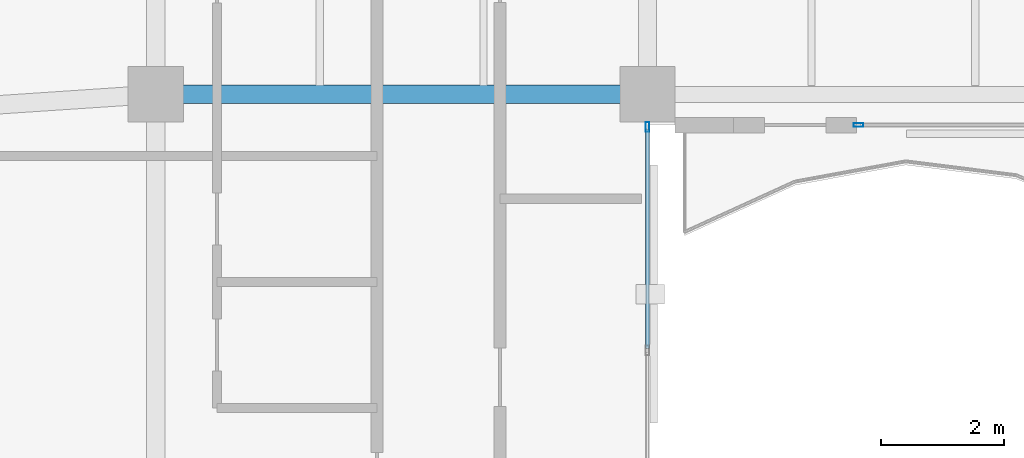
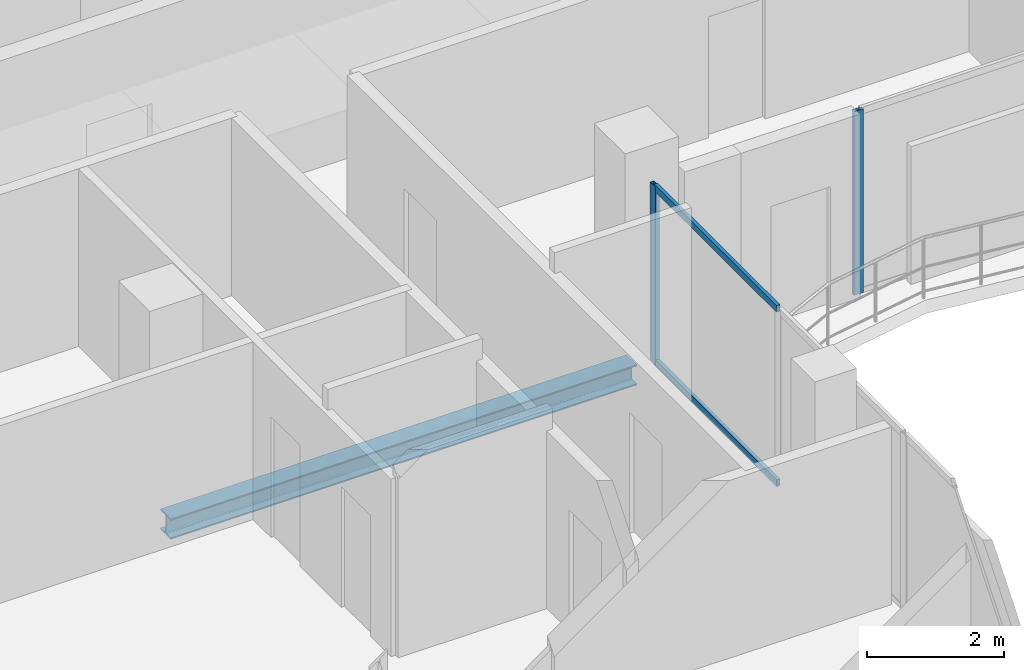
# One storey, part 8 of 22: 4 members, 1 beam, 2 elements without a shape of their own.
"""IFC4 building model written with IfcOpenShell, lengths in metres."""

import ifcopenshell
import ifcopenshell.guid

model = None  # the IFC model being written
_history = None  # IfcOwnerHistory: only IFC2X3 demands one
_inside = {}  # id of a spatial element -> (the spatial element, [elements in it])
_under = {}  # id of a project, library or spatial element -> (it, [spatial elements below it])
_declared = {}  # id of a project -> (the project, [libraries it declares])
_typed = {}  # id of a type object -> (the type object, [elements of that type])
_made_of = {}  # id of a material, layer set ... -> (it, [elements and type objects made of it])


def new_model(schema):
    """Start an empty IFC model of exactly this schema.

    Asked for "IFC4X3", IfcOpenShell would pick the latest addendum, in which some entities
    have other attributes; the version numbers below select the first issue.
    IFC2X3 requires an IfcOwnerHistory on every rooted entity: one is made here for all.
    """
    global model, _history
    if schema == "IFC4X3":
        model = ifcopenshell.file(schema_version=(4, 3, 0, 0))
    else:
        model = ifcopenshell.file(schema=schema)
    _inside.clear()
    _under.clear()
    _declared.clear()
    _typed.clear()
    _made_of.clear()
    _history = None
    if model.schema == "IFC2X3":
        org = make("IfcOrganization", Name="unknown")
        user = make(
            "IfcPersonAndOrganization",
            ThePerson=make("IfcPerson", FamilyName="unknown"),
            TheOrganization=org,
        )
        app = make(
            "IfcApplication",
            ApplicationDeveloper=org,
            Version="unknown",
            ApplicationFullName="unknown",
            ApplicationIdentifier="unknown",
        )
        _history = make(
            "IfcOwnerHistory",
            OwningUser=user,
            OwningApplication=app,
            ChangeAction="ADDED",
            CreationDate=0,
        )
    return model


def make(cls, **values):
    """One entity of the class cls with the attributes given. An attribute that is None is left unset."""
    return model.create_entity(
        cls, **{name: value for name, value in values.items() if value is not None}
    )


def rooted(cls, **values):
    """An entity with a GlobalId (a new one), such as an element, a storey or a relation."""
    return make(cls, GlobalId=ifcopenshell.guid.new(), OwnerHistory=_history, **values)


def si_unit(unit_type, name, prefix=None):
    """IfcSIUnit, for example si_unit("LENGTHUNIT", "METRE", prefix="MILLI")."""
    return make("IfcSIUnit", UnitType=unit_type, Prefix=prefix, Name=name)


def assignment(units):
    """IfcUnitAssignment: the units of a project."""
    return None if units is None else make("IfcUnitAssignment", Units=units)


def point(xyz):
    """IfcCartesianPoint."""
    return None if xyz is None else make("IfcCartesianPoint", Coordinates=xyz)


def direction(xyz):
    """IfcDirection."""
    return None if xyz is None else make("IfcDirection", DirectionRatios=xyz)


def frame(location, z_axis=None, x_axis=None):
    """IfcAxis2Placement3D, a coordinate frame: its origin and axes. An axis left out is left unset."""
    return make(
        "IfcAxis2Placement3D",
        Location=point(location),
        Axis=direction(z_axis),
        RefDirection=direction(x_axis),
    )


def frame_2d(location, x_axis=None):
    """IfcAxis2Placement2D, a coordinate frame in the plane: its origin and x axis."""
    return make(
        "IfcAxis2Placement2D", Location=point(location), RefDirection=direction(x_axis)
    )


def origin():
    """The frame at (0, 0, 0) with its axes left unset."""
    return frame((0.0, 0.0, 0.0))


def origin_2d():
    """The frame at (0, 0) in the plane with its x axis left unset."""
    return frame_2d((0.0, 0.0))


def place(relative_to, where):
    """IfcLocalPlacement: puts the frame where relative to a parent placement (None: the world)."""
    return make(
        "IfcLocalPlacement", PlacementRelTo=relative_to, RelativePlacement=where
    )


def context(
    kind, dimensions, precision=None, world=None, true_north=None, identifier=None
):
    """IfcGeometricRepresentationContext, for example the 3D "Model" context."""
    return make(
        "IfcGeometricRepresentationContext",
        ContextIdentifier=identifier,
        ContextType=kind,
        CoordinateSpaceDimension=dimensions,
        Precision=precision,
        WorldCoordinateSystem=world,
        TrueNorth=true_north,
    )


def subcontext(parent, identifier, kind, view, scale=None):
    """IfcGeometricRepresentationSubContext, for example "Body" below "Model"."""
    return make(
        "IfcGeometricRepresentationSubContext",
        ContextIdentifier=identifier,
        ContextType=kind,
        ParentContext=parent,
        TargetScale=scale,
        TargetView=view,
    )


def project(units=None, contexts=None):
    """IfcProject with its units and contexts."""
    return rooted(
        "IfcProject",
        Name="project",
        RepresentationContexts=contexts,
        UnitsInContext=assignment(units),
    )


def spatial(cls, under=None, at=None, **own):
    """A site, building, storey or space (cls), placed at a placement, below another one or the project."""
    s = rooted(cls, ObjectPlacement=at, **own)
    if under is not None:
        _under.setdefault(under.id(), (under, []))[1].append(s)
    return s


def profile(cls, at=None, kind="AREA", **sizes):
    """A parametric profile (cls). Its sizes go by their IFC names, for example OverallWidth=200.0."""
    return make(cls, ProfileType=kind, Position=at, **sizes)


def hollow_rectangle(**sizes):
    """IfcRectangleHollowProfileDef."""
    return profile("IfcRectangleHollowProfileDef", **sizes)


def i_section(**sizes):
    """IfcIShapeProfileDef."""
    return profile("IfcIShapeProfileDef", **sizes)


def extrude(swept, where, along, depth):
    """IfcExtrudedAreaSolid: the profile swept, set in the frame where, extruded along a direction by depth."""
    return make(
        "IfcExtrudedAreaSolid",
        SweptArea=swept,
        Position=where,
        ExtrudedDirection=direction(along),
        Depth=depth,
    )


def shape(context_of_items, identifier, shape_type, items):
    """IfcShapeRepresentation: the items that make up one representation, for example the "Body"."""
    return make(
        "IfcShapeRepresentation",
        ContextOfItems=context_of_items,
        RepresentationIdentifier=identifier,
        RepresentationType=shape_type,
        Items=items,
    )


def material(Name=None, Category=None):
    """IfcMaterial."""
    return make("IfcMaterial", Name=Name, Category=Category)


def layer(
    of_material, thickness, ventilated=None, Name=None, Category=None, Priority=None
):
    """IfcMaterialLayer: one layer of a wall or slab, of a material (None: an air gap)."""
    return make(
        "IfcMaterialLayer",
        Material=of_material,
        LayerThickness=thickness,
        IsVentilated=ventilated,
        Name=Name,
        Category=Category,
        Priority=Priority,
    )


def layer_set(layers, Name=None):
    """IfcMaterialLayerSet."""
    return make("IfcMaterialLayerSet", MaterialLayers=layers, LayerSetName=Name)


def material_profile(
    of_material, cross_section, Name=None, Category=None, Priority=None
):
    """IfcMaterialProfile: a cross section and its material."""
    return make(
        "IfcMaterialProfile",
        Name=Name,
        Material=of_material,
        Profile=cross_section,
        Priority=Priority,
        Category=Category,
    )


def profile_set(profiles, Name=None, composite=None):
    """IfcMaterialProfileSet."""
    return make(
        "IfcMaterialProfileSet",
        Name=Name,
        MaterialProfiles=profiles,
        CompositeProfile=composite,
    )


def made_of(thing, what):
    """Note that an element or type object is made of a material, layer set ...; save() writes the relation."""
    if what is not None:
        _made_of.setdefault(what.id(), (what, []))[1].append(thing)
    return thing


def type_object(cls, material=None, **own):
    """A type object (cls), such as IfcWallType, which elements share."""
    return made_of(rooted(cls, **own), material)


def element(
    cls,
    number,
    at=None,
    inside=None,
    cuts=None,
    type_object=None,
    material=None,
    context=None,
    identifier="Body",
    shape_type=None,
    held_by="IfcProductDefinitionShape",
    body=None,
    shapes=None,
    **own,
):
    """One element of the class cls, such as IfcWall. Its Tag is "e" and its number.

    at: its placement. inside: the storey or other place that contains it. cuts: it is an
    opening in that element (IfcRelVoidsElement). A single representation is given by context,
    identifier, shape_type and body (its items); several are given by shapes. held_by: the class
    of the entity that holds the representations. save() writes the other relations.
    """
    e = rooted(cls, Tag="e%d" % number, ObjectPlacement=at, **own)
    if body is not None:
        shapes = [shape(context, identifier, shape_type, body)]
    if shapes is not None:
        e.Representation = make(held_by, Representations=shapes)
    if inside is not None:
        _inside.setdefault(inside.id(), (inside, []))[1].append(e)
    if cuts is not None:
        rooted(
            "IfcRelVoidsElement", RelatingBuildingElement=cuts, RelatedOpeningElement=e
        )
    if type_object is not None:
        _typed.setdefault(type_object.id(), (type_object, []))[1].append(e)
    return made_of(e, material)


def aggregate(whole, parts):
    """IfcRelAggregates: a whole, such as a stair, and the parts it consists of."""
    return rooted("IfcRelAggregates", RelatingObject=whole, RelatedObjects=parts)


def save(model, path):
    """Write the relations noted so far, then the file.

    IfcRelAggregates (storeys below a building ...), IfcRelContainedInSpatialStructure (elements
    in a storey), IfcRelDefinesByType, IfcRelAssociatesMaterial and IfcRelDeclares: one each for
    every whole, place, type object, material and project.
    """
    for whole, parts in _under.values():
        aggregate(whole, parts)
    for where, things in _inside.values():
        rooted(
            "IfcRelContainedInSpatialStructure",
            RelatedElements=things,
            RelatingStructure=where,
        )
    for kind, things in _typed.values():
        rooted("IfcRelDefinesByType", RelatedObjects=things, RelatingType=kind)
    for what, things in _made_of.values():
        rooted("IfcRelAssociatesMaterial", RelatedObjects=things, RelatingMaterial=what)
    for by, libraries in _declared.values():
        rooted("IfcRelDeclares", RelatingContext=by, RelatedDefinitions=libraries)
    model.write(path)


model = new_model("IFC4")

# Units and contexts
model_context = context("Model", 3, precision=1e-05, world=origin(), true_north=direction((0.0, 1.0)))
body_context = subcontext(model_context, "Body", "Model", "MODEL_VIEW")
ifc_project = project(units=[si_unit("LENGTHUNIT", "METRE"), si_unit("AREAUNIT", "SQUARE_METRE"), si_unit("VOLUMEUNIT", "CUBIC_METRE"), si_unit("PLANEANGLEUNIT", "RADIAN"), si_unit("MASSUNIT", "GRAM", prefix="KILO")], contexts=[model_context])

# Site, building, storey
site_placement = place(None, origin())
site = spatial("IfcSite", under=ifc_project, at=site_placement, CompositionType="ELEMENT")
building_placement = place(site_placement, origin())
building = spatial("IfcBuilding", under=site, at=building_placement, Name="Catumbela Crestline Tower", CompositionType="ELEMENT")
storey_placement = place(building_placement, frame((0.0, 0.0, 256.4)))
storey = spatial("IfcBuildingStorey", under=building, at=storey_placement, Name="L66", CompositionType="ELEMENT", Elevation=256.4)

# Beam
ifc_material_1 = material(Name="Structural steel S355J2", Category="steel")
ifc_material_profile_1 = material_profile(ifc_material_1, i_section(OverallWidth=0.3, OverallDepth=0.36, WebThickness=0.0125, FlangeThickness=0.0225, FilletRadius=0.027, at=origin_2d()), Name="HEB 360")
ifc_profile_set_1 = profile_set([ifc_material_profile_1], Name="Structural steel S355J2")
beam_type = type_object("IfcBeamType", Name="BG-HEB360", PredefinedType="BEAM", material=ifc_profile_set_1)
beam_placement = place(storey_placement, frame((16.08, 24.5, -0.44), z_axis=(1.0, 0.0, 0.0), x_axis=(0.0, 1.0, 0.0)))
element("IfcBeam", 1, at=beam_placement, inside=storey, type_object=beam_type, Name="L66 Beam BM-L66-S03", PredefinedType="BEAM", context=body_context, shape_type="SweptSolid", body=[
    extrude(i_section(OverallWidth=0.3, OverallDepth=0.36, WebThickness=0.0125, FlangeThickness=0.0225, FilletRadius=0.027, at=origin_2d()), origin(), (0.0, 0.0, 1.0), 7.84),
])

# Curtain wall, member
ifc_material_2 = material(Name="Aluminium alloy AW-6060-T66", Category="aluminium")
ifc_layer = layer(ifc_material_2, 0.18, Name="Aluminium alloy AW-6060-T66")
ifc_layer_set = layer_set([ifc_layer], Name="Aluminium alloy AW-6060-T66")
curtain_wall_type = type_object("IfcCurtainWallType", Name="CWU-Z4", PredefinedType="USERDEFINED", material=ifc_layer_set)
curtain_wall_1_placement = place(storey_placement, origin())
curtain_wall_1 = element("IfcCurtainWall", 2, at=curtain_wall_1_placement, inside=storey, type_object=curtain_wall_type, Name="L66 Unitised Curtain Wall CW-L66-E2S1", ObjectType="UNITISED", PredefinedType="USERDEFINED")
ifc_material_profile_2 = material_profile(ifc_material_2, hollow_rectangle(XDim=0.06, YDim=0.16, WallThickness=0.004, at=origin_2d()), Name="ALU 160x60x4")
ifc_profile_set_2 = profile_set([ifc_material_profile_2], Name="Aluminium alloy AW-6060-T66")
member_type_1 = type_object("IfcMemberType", Name="MUL-160X60", PredefinedType="MULLION", material=ifc_profile_set_2)
member_1_placement = place(storey_placement, frame((24.0, 23.9675, 0.0), z_axis=(0.0, 0.0, 1.0), x_axis=(-1.0, 0.0, 0.0)))
member_1 = element("IfcMember", 3, at=member_1_placement, type_object=member_type_1, Name="CWU-Z4 mullion 4", PredefinedType="MULLION", context=body_context, shape_type="SweptSolid", body=[
    extrude(hollow_rectangle(XDim=0.06, YDim=0.16, WallThickness=0.004, at=origin_2d()), origin(), (0.0, 0.0, 1.0), 3.16),
])

curtain_wall_2_placement = place(storey_placement, origin())
curtain_wall_2 = element("IfcCurtainWall", 4, at=curtain_wall_2_placement, inside=storey, type_object=curtain_wall_type, Name="L66 Unitised Curtain Wall CW-L66-E3S2", ObjectType="UNITISED", PredefinedType="USERDEFINED")
member_2_placement = place(storey_placement, frame((27.4325, 24.0, 0.0), z_axis=(0.0, 0.0, 1.0), x_axis=(0.0, 1.0, 0.0)))
member_2 = element("IfcMember", 5, at=member_2_placement, type_object=member_type_1, Name="CWU-Z4 mullion 1", PredefinedType="MULLION", context=body_context, shape_type="SweptSolid", body=[
    extrude(hollow_rectangle(XDim=0.06, YDim=0.16, WallThickness=0.004, at=origin_2d()), origin(), (0.0, 0.0, 1.0), 3.27),
])
aggregate(curtain_wall_2, [member_2])

# Member
ifc_material_profile_3 = material_profile(ifc_material_2, hollow_rectangle(XDim=0.06, YDim=0.12, WallThickness=0.0035, at=origin_2d()), Name="ALU 120x60x3.5")
ifc_profile_set_3 = profile_set([ifc_material_profile_3], Name="Aluminium alloy AW-6060-T66")
member_type_2 = type_object("IfcMemberType", Name="TRN-120X60", PredefinedType="USERDEFINED", material=ifc_profile_set_3)
member_3_placement = place(storey_placement, frame((24.0, 20.3658, 0.03), z_axis=(0.0, 1.0, 0.0), x_axis=(-1.0, 0.0, 0.0)))
member_3 = element("IfcMember", 6, at=member_3_placement, type_object=member_type_2, Name="CWU-Z4 transom 3.1", ObjectType="TRANSOM", PredefinedType="USERDEFINED", context=body_context, shape_type="SweptSolid", body=[
    extrude(hollow_rectangle(XDim=0.06, YDim=0.12, WallThickness=0.0035, at=origin_2d()), origin(), (0.0, 0.0, 1.0), 3.5692),
])

member_4_placement = place(storey_placement, frame((24.0, 20.3658, 3.13), z_axis=(0.0, 1.0, 0.0), x_axis=(-1.0, 0.0, 0.0)))
member_4 = element("IfcMember", 7, at=member_4_placement, type_object=member_type_2, Name="CWU-Z4 transom 3.2", ObjectType="TRANSOM", PredefinedType="USERDEFINED", context=body_context, shape_type="SweptSolid", body=[
    extrude(hollow_rectangle(XDim=0.06, YDim=0.12, WallThickness=0.0035, at=origin_2d()), origin(), (0.0, 0.0, 1.0), 3.5692),
])

aggregate(curtain_wall_1, [member_1, member_3, member_4])

save(model, "model.ifc")
